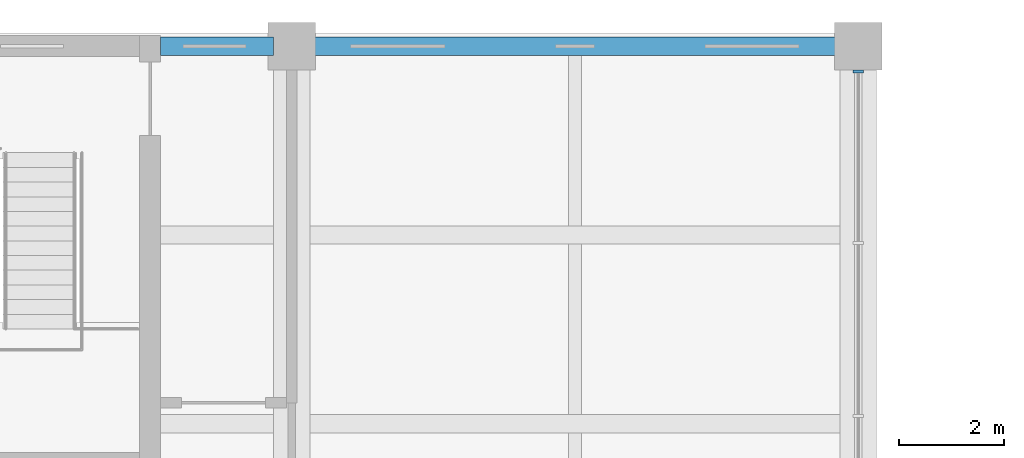
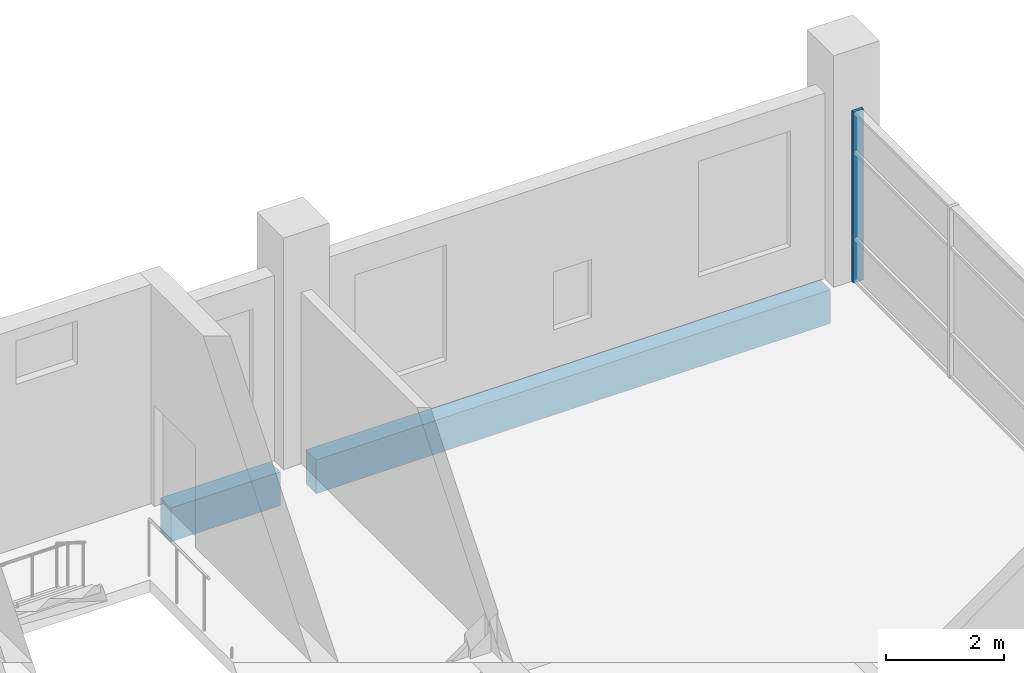
# One storey, part 10 of 22: 2 beams, 1 member, 1 element without a shape of its own.
"""IFC4 building model written with IfcOpenShell, lengths in metres."""

from ifc_helpers import new_model, si_unit, direction, frame, origin, origin_2d, place, context, subcontext, project, spatial, rectangle, extrude, material, layer, layer_set, material_profile, profile_set, type_object, element, aggregate, save


model = new_model("IFC4")

# Units and contexts
model_context = context("Model", 3, precision=1e-05, world=origin(), true_north=direction((0.0, 1.0)))
body_context = subcontext(model_context, "Body", "Model", "MODEL_VIEW")
ifc_project = project(units=[si_unit("LENGTHUNIT", "METRE"), si_unit("AREAUNIT", "SQUARE_METRE"), si_unit("VOLUMEUNIT", "CUBIC_METRE"), si_unit("PLANEANGLEUNIT", "RADIAN"), si_unit("MASSUNIT", "GRAM", prefix="KILO")], contexts=[model_context])

# Site, building, storey
site_placement = place(None, origin())
site = spatial("IfcSite", under=ifc_project, at=site_placement, CompositionType="ELEMENT")
building_placement = place(site_placement, origin())
building = spatial("IfcBuilding", under=site, at=building_placement, Name="Basin Gate Institute", CompositionType="ELEMENT")
storey_placement = place(building_placement, frame((0.0, 0.0, 51.0)))
storey = spatial("IfcBuildingStorey", under=building, at=storey_placement, Name="L10", CompositionType="ELEMENT", Elevation=51.0)

# Beams
ifc_material_1 = material(Name="Concrete 40 MPa", Category="concrete")
ifc_material_profile_1 = material_profile(ifc_material_1, rectangle(XDim=0.35009765625, YDim=0.699951171875, at=origin_2d()), Name="Beam B1 350 x 700")
ifc_profile_set_1 = profile_set([ifc_material_profile_1], Name="Concrete 40 MPa")
beam_type = type_object("IfcBeamType", Name="Beam B1 R120", PredefinedType="BEAM", material=ifc_profile_set_1)
beam_1_placement = place(storey_placement, frame((68.75, 99.89990234375, -0.60009765625), z_axis=(1.0, 0.0, 0.0), x_axis=(0.0, 1.0, 0.0)))
element("IfcBeam", 1, at=beam_1_placement, inside=storey, type_object=beam_type, material=ifc_profile_set_1, Name="BEAM/L10/W/EW/19", PredefinedType="BEAM", context=body_context, shape_type="SweptSolid", body=[
    extrude(rectangle(XDim=0.35009765625, YDim=0.699951171875, at=origin_2d()), origin(), (0.0, 0.0, 1.0), 10.10009765625),
])
beam_2_placement = place(storey_placement, frame((65.89990234375, 99.89990234375, -0.60009765625), z_axis=(1.0, 0.0, 0.0), x_axis=(0.0, 1.0, 0.0)))
element("IfcBeam", 2, at=beam_2_placement, inside=storey, type_object=beam_type, material=ifc_profile_set_1, Name="BEAM/L10/W/CORR/19", PredefinedType="BEAM", context=body_context, shape_type="SweptSolid", body=[
    extrude(rectangle(XDim=0.35009765625, YDim=0.699951171875, at=origin_2d()), origin(), (0.0, 0.0, 1.0), 2.150146484375),
])

# Curtain wall, member
ifc_material_2 = material(Name="Aluminium-framed glazing", Category="aluminium")
ifc_layer = layer(ifc_material_2, 0.199951171875)
ifc_layer_set = layer_set([ifc_layer], Name="Atrium curtain wall CW2")
curtain_wall_type = type_object("IfcCurtainWallType", Name="Atrium curtain wall CW2", PredefinedType="NOTDEFINED", material=ifc_layer_set)
curtain_wall_placement = place(storey_placement, origin())
curtain_wall = element("IfcCurtainWall", 3, at=curtain_wall_placement, inside=storey, type_object=curtain_wall_type, material=ifc_layer_set, Name="Atrium curtain wall W wing atrium bay 6 L10", PredefinedType="NOTDEFINED")
ifc_material_3 = material(Name="Aluminium", Category="aluminium")
ifc_material_profile_2 = material_profile(ifc_material_3, rectangle(XDim=0.199951171875, YDim=0.06005859375, at=origin_2d()), Name="Mullion MU2 200 x 60")
ifc_profile_set_2 = profile_set([ifc_material_profile_2], Name="Aluminium")
member_type = type_object("IfcMemberType", Name="Mullion MU2", PredefinedType="MULLION", material=ifc_profile_set_2)
member_placement = place(storey_placement, frame((79.199951171875, 99.419921875, 0.0), z_axis=(0.0, 0.0, 1.0), x_axis=(-1.0, 0.0, 0.0)))
member = element("IfcMember", 4, at=member_placement, type_object=member_type, material=ifc_profile_set_2, Name="CW2 mullion 4", PredefinedType="MULLION", context=body_context, shape_type="SweptSolid", body=[
    extrude(rectangle(XDim=0.199951171875, YDim=0.06005859375, at=origin_2d()), origin(), (0.0, 0.0, 1.0), 3.550048828125),
])
aggregate(curtain_wall, [member])

save(model, "model.ifc")
